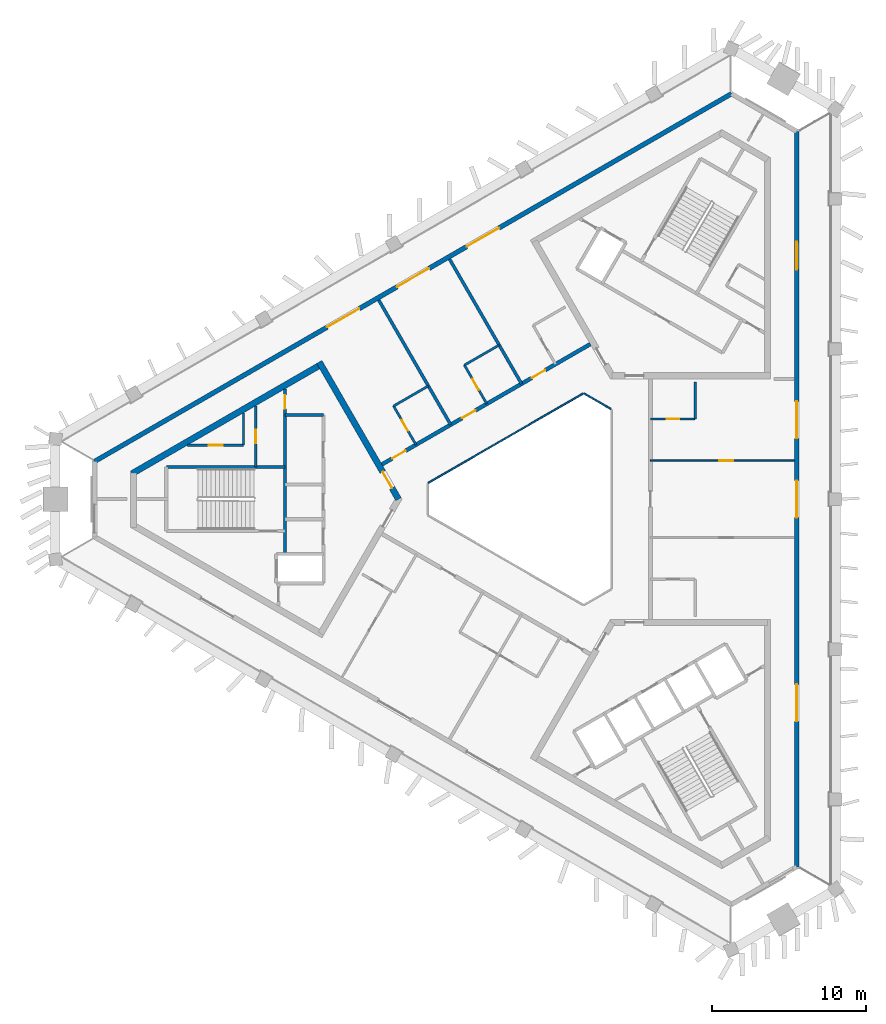
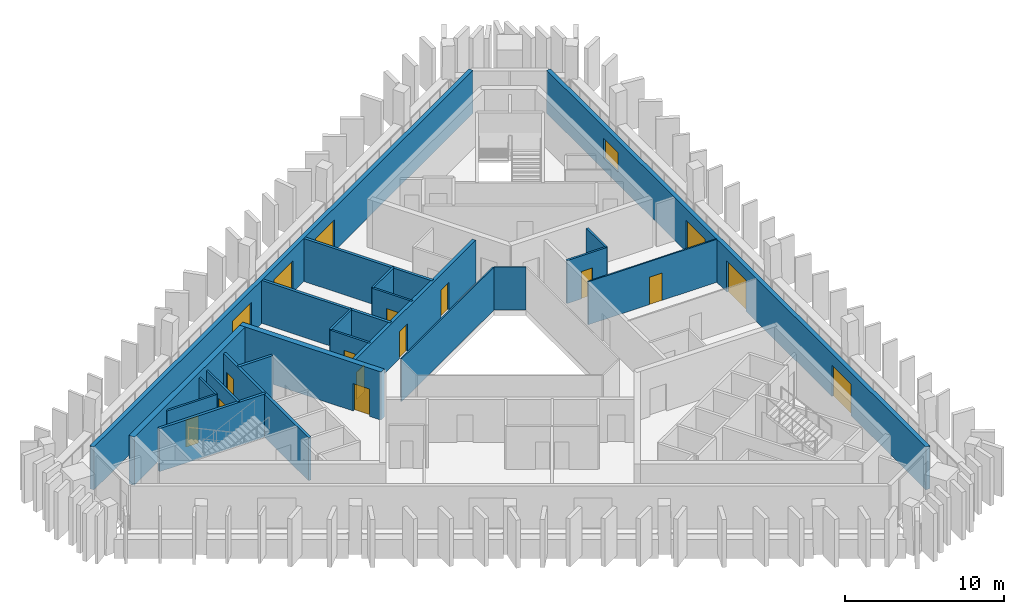
# One storey, part 4 of 9: 22 walls, 17 doors, 1 window, 18 openings.
"""IFC4 building model written with IfcOpenShell, lengths in metres."""

from ifc_helpers import new_model, si_unit, direction, frame, frame_2d, origin, place, context, subcontext, project, spatial, rectangle, extrude, material, layer, layer_set, type_object, element, fill, save


model = new_model("IFC4")

# Units and contexts
model_context = context("Model", 3, precision=1e-05, world=origin(), true_north=direction((0.0, 1.0)))
body_context = subcontext(model_context, "Body", "Model", "MODEL_VIEW")
ifc_project = project(units=[si_unit("LENGTHUNIT", "METRE"), si_unit("AREAUNIT", "SQUARE_METRE"), si_unit("VOLUMEUNIT", "CUBIC_METRE"), si_unit("PLANEANGLEUNIT", "RADIAN"), si_unit("MASSUNIT", "GRAM", prefix="KILO")], contexts=[model_context])

# Site, building, storey
site_placement = place(None, origin())
site = spatial("IfcSite", under=ifc_project, at=site_placement, CompositionType="ELEMENT")
building_placement = place(site_placement, origin())
building = spatial("IfcBuilding", under=site, at=building_placement, Name="Jabali Bay Hotel Tower and Convention Centre", CompositionType="ELEMENT")
storey_placement = place(building_placement, frame((0.0, 0.0, 273.800048828125)))
storey = spatial("IfcBuildingStorey", under=building, at=storey_placement, Name="L67", CompositionType="ELEMENT", Elevation=273.800048828125)

# Walls
ifc_material_1 = material(Name="Fire-resistant glazing", Category="glass")
ifc_layer_1 = layer(ifc_material_1, 0.10009765625)
ifc_layer_set_1 = layer_set([ifc_layer_1], Name="Fire-resistant glazing")
wall_type_1 = type_object("IfcWallType", Name="Atrium glazed screen 100", PredefinedType="PARTITIONING", material=ifc_layer_set_1)
wall_1_placement = place(storey_placement, frame((79.530029296875, 85.84619140625, 0.0), z_axis=(0.0, 0.0, 1.0), x_axis=(-0.866041268327, 0.499972520799, 0.0)))
element("IfcWall", 1, at=wall_1_placement, inside=storey, type_object=wall_type_1, Name="Atrium screen 2 L67", PredefinedType="PARTITIONING", context=body_context, shape_type="SweptSolid", body=[
    extrude(rectangle(XDim=2.0, YDim=0.10009765625, at=frame_2d((1.0, 0.0))), origin(), (0.0, 0.0, 1.0), 3.300048828125),
])
wall_2_placement = place(storey_placement, frame((77.738037109375, 86.84619140625, 0.0), z_axis=(0.0, 0.0, 1.0), x_axis=(-0.866026658274, -0.499997827154, 0.0)))
element("IfcWall", 2, at=wall_2_placement, inside=storey, type_object=wall_type_1, Name="Atrium screen 3 L67", PredefinedType="PARTITIONING", context=body_context, shape_type="SweptSolid", body=[
    extrude(rectangle(XDim=11.58837890625, YDim=0.10009765625, at=frame_2d((5.794189453125, 0.0))), origin(), (0.0, 0.0, 1.0), 3.300048828125),
])

# Wall, opening, door
ifc_material_2 = material(Name="Fire-rated board partition")
ifc_layer_2 = layer(ifc_material_2, 0.14990234375)
ifc_layer_set_2 = layer_set([ifc_layer_2], Name="Fire-rated board partition")
wall_type_2 = type_object("IfcWallType", Name="Core room partition 150", PredefinedType="PARTITIONING", material=ifc_layer_set_2)
wall_3_placement = place(storey_placement, frame((55.719970703125, 83.5, 0.0), z_axis=(0.0, 0.0, 1.0), x_axis=(-1.0, 0.0, 0.0)))
wall_3 = element("IfcWall", 3, at=wall_3_placement, inside=storey, type_object=wall_type_2, Name="Core wall 0.1 L67", PredefinedType="PARTITIONING", context=body_context, shape_type="SweptSolid", body=[
    extrude(rectangle(XDim=3.61767578125, YDim=0.14990234375, at=frame_2d((1.808837890625, 0.0))), origin(), (0.0, 0.0, 1.0), 3.300048828125),
])
opening_1_placement = place(wall_3_placement, frame((1.33154296875, 0.0, 0.0)))
opening_1 = element("IfcOpeningElement", 4, at=opening_1_placement, cuts=wall_3, Name="Opening D1477", PredefinedType="OPENING", context=body_context, shape_type="SweptSolid", body=[
    extrude(rectangle(XDim=0.89990234375, YDim=2.10009765625, at=frame_2d((0.449951171875, 1.050048828125))), frame((0.0, 0.08544921875, 0.0), z_axis=(0.0, -1.0, 0.0), x_axis=(1.0, 0.0, 0.0)), (0.0, 0.0, 1.0), 0.1708984375),
])
ifc_material_3 = material(Name="Fire-rated steel door", Category="steel")
door_type_1 = type_object("IfcDoorType", Name="Core room door 900 x 2100", OperationType="NOTDEFINED", PredefinedType="NOTDEFINED", material=ifc_material_3)
door_1_placement = place(opening_1_placement, origin())
door_1 = element("IfcDoor", 5, at=door_1_placement, inside=storey, type_object=door_type_1, Name="Core room door D1477", OperationType="SINGLE_SWING_LEFT", OverallHeight=2.10009765625, OverallWidth=0.89990234375, PredefinedType="NOTDEFINED", context=body_context, shape_type="SweptSolid", body=[
    extrude(rectangle(XDim=0.89990234375, YDim=2.10009765625, at=frame_2d((0.449951171875, 1.050048828125))), frame((0.0, 0.02490234375, 0.0), z_axis=(0.0, -1.0, 0.0), x_axis=(1.0, 0.0, 0.0)), (0.0, 0.0, 1.0), 0.050048828125),
])
fill(opening_1, door_1)

wall_4_placement = place(storey_placement, frame((56.52001953125, 86.050537109375, 0.0), z_axis=(0.0, 0.0, 1.0), x_axis=(0.0, -1.0, 0.0)))
wall_4 = element("IfcWall", 6, at=wall_4_placement, inside=storey, type_object=wall_type_2, Name="Core wall 0.13 L67", PredefinedType="PARTITIONING", context=body_context, shape_type="SweptSolid", body=[
    extrude(rectangle(XDim=3.9755859375, YDim=0.14990234375, at=frame_2d((1.98779296875, 0.0))), origin(), (0.0, 0.0, 1.0), 3.300048828125),
])
opening_2_placement = place(wall_4_placement, frame((1.537841796875, 0.0, 0.0)))
opening_2 = element("IfcOpeningElement", 7, at=opening_2_placement, cuts=wall_4, Name="Opening D1473", PredefinedType="OPENING", context=body_context, shape_type="SweptSolid", body=[
    extrude(rectangle(XDim=0.89990234375, YDim=2.10009765625, at=frame_2d((0.449951171875, 1.050048828125))), frame((0.0, 0.08544921875, 0.0), z_axis=(0.0, -1.0, 0.0), x_axis=(1.0, 0.0, 0.0)), (0.0, 0.0, 1.0), 0.1708984375),
])
door_2_placement = place(opening_2_placement, origin())
door_2 = element("IfcDoor", 8, at=door_2_placement, inside=storey, type_object=door_type_1, Name="Core room door D1473", OperationType="SINGLE_SWING_RIGHT", OverallHeight=2.10009765625, OverallWidth=0.89990234375, PredefinedType="NOTDEFINED", context=body_context, shape_type="SweptSolid", body=[
    extrude(rectangle(XDim=0.89990234375, YDim=2.10009765625, at=frame_2d((0.449951171875, 1.050048828125))), frame((0.0, 0.02490234375, 0.0), z_axis=(0.0, -1.0, 0.0), x_axis=(1.0, 0.0, 0.0)), (0.0, 0.0, 1.0), 0.050048828125),
])
fill(opening_2, door_2)

# Walls
wall_5_placement = place(storey_placement, frame((55.719970703125, 85.5888671875, 0.0), z_axis=(0.0, 0.0, 1.0), x_axis=(0.0, -1.0, 0.0)))
element("IfcWall", 9, at=wall_5_placement, inside=storey, type_object=wall_type_2, Name="Core wall 0.14 L67", PredefinedType="PARTITIONING", context=body_context, shape_type="SweptSolid", body=[
    extrude(rectangle(XDim=2.0888671875, YDim=0.14990234375, at=frame_2d((1.04443359375, 0.0))), origin(), (0.0, 0.0, 1.0), 3.300048828125),
])
ifc_material_4 = material(Name="Concrete C40", Category="concrete")
ifc_layer_3 = layer(ifc_material_4, 0.199951171875)
ifc_layer_set_3 = layer_set([ifc_layer_3], Name="Concrete C40")
wall_type_3 = type_object("IfcWallType", Name="Core stair wall 200", PredefinedType="SOLIDWALL", material=ifc_layer_set_3)
wall_6_placement = place(storey_placement, frame((60.89990234375, 85.449951171875, 0.0), z_axis=(0.0, 0.0, 1.0), x_axis=(-1.0, 0.0, 0.0)))
element("IfcWall", 10, at=wall_6_placement, inside=storey, type_object=wall_type_3, Name="Core wall 0.0 L67", PredefinedType="SOLIDWALL", context=body_context, shape_type="SweptSolid", body=[
    extrude(rectangle(XDim=2.47998046875, YDim=0.199951171875, at=frame_2d((1.239990234375, 0.0))), origin(), (0.0, 0.0, 1.0), 3.300048828125),
])
wall_7_placement = place(storey_placement, frame((58.419921875, 82.074951171875, 0.0), z_axis=(0.0, 0.0, 1.0), x_axis=(-1.0, 0.0, 0.0)))
element("IfcWall", 11, at=wall_7_placement, inside=storey, type_object=wall_type_3, Name="Core wall 0.2 L67", PredefinedType="SOLIDWALL", context=body_context, shape_type="SweptSolid", body=[
    extrude(rectangle(XDim=7.699951171875, YDim=0.199951171875, at=frame_2d((3.85009765625, 0.0))), origin(), (0.0, 0.0, 1.0), 3.300048828125),
])

# Wall, opening, door
wall_8_placement = place(storey_placement, frame((58.419921875, 87.147705078125, 0.0), z_axis=(0.0, 0.0, 1.0), x_axis=(0.0, -1.0, 0.0)))
wall_8 = element("IfcWall", 12, at=wall_8_placement, inside=storey, type_object=wall_type_3, Name="Core wall 0.10 L67", PredefinedType="SOLIDWALL", context=body_context, shape_type="SweptSolid", body=[
    extrude(rectangle(XDim=10.69775390625, YDim=0.199951171875, at=frame_2d((5.348876953125, 0.0))), origin(), (0.0, 0.0, 1.0), 3.300048828125),
])
opening_3_placement = place(wall_8_placement, frame((0.398681640625, 0.0, 0.0)))
opening_3 = element("IfcOpeningElement", 13, at=opening_3_placement, cuts=wall_8, Name="Opening D1475", PredefinedType="OPENING", context=body_context, shape_type="SweptSolid", body=[
    extrude(rectangle(XDim=0.89990234375, YDim=2.10009765625, at=frame_2d((0.449951171875, 1.050048828125))), frame((0.0, 0.1103515625, 0.0), z_axis=(0.0, -1.0, 0.0), x_axis=(1.0, 0.0, 0.0)), (0.0, 0.0, 1.0), 0.220947265625),
])
door_type_2 = type_object("IfcDoorType", Name="Vestibule fire door 900 x 2100", OperationType="NOTDEFINED", PredefinedType="NOTDEFINED", material=ifc_material_3)
door_3_placement = place(opening_3_placement, origin())
door_3 = element("IfcDoor", 14, at=door_3_placement, inside=storey, type_object=door_type_2, Name="Vestibule fire door D1475", OperationType="SINGLE_SWING_LEFT", OverallHeight=2.10009765625, OverallWidth=0.89990234375, PredefinedType="NOTDEFINED", context=body_context, shape_type="SweptSolid", body=[
    extrude(rectangle(XDim=0.89990234375, YDim=2.10009765625, at=frame_2d((0.449951171875, 1.050048828125))), frame((0.0, 0.02490234375, 0.0), z_axis=(0.0, -1.0, 0.0), x_axis=(1.0, 0.0, 0.0)), (0.0, 0.0, 1.0), 0.050048828125),
])
fill(opening_3, door_3)

ifc_material_5 = material(Name="Concrete C60", Category="concrete")
ifc_layer_4 = layer(ifc_material_5, 0.39990234375)
ifc_layer_set_4 = layer_set([ifc_layer_4], Name="Concrete C60")
wall_type_4 = type_object("IfcWallType", Name="Core wall 400", PredefinedType="SHEAR", material=ifc_layer_set_4)
wall_9_placement = place(storey_placement, frame((65.76904296875, 80.0, 0.0), z_axis=(0.0, 0.0, 1.0), x_axis=(-0.50000177223, 0.866024380585, 0.0)))
wall_9 = element("IfcWall", 15, at=wall_9_placement, inside=storey, type_object=wall_type_4, Name="Core wall 1.1 L67", PredefinedType="SHEAR", context=body_context, shape_type="SweptSolid", body=[
    extrude(rectangle(XDim=10.2646484375, YDim=0.39990234375, at=frame_2d((5.13232421875, 0.0))), origin(), (0.0, 0.0, 1.0), 3.699951171875),
])
opening_4_placement = place(wall_9_placement, frame((0.83447265625, 0.0, 0.0)))
opening_4 = element("IfcOpeningElement", 16, at=opening_4_placement, cuts=wall_9, Name="Opening D1468", PredefinedType="OPENING", context=body_context, shape_type="SweptSolid", body=[
    extrude(rectangle(XDim=1.199951171875, YDim=2.10009765625, at=frame_2d((0.60009765625, 1.050048828125))), frame((0.0, 0.21044921875, 0.0), z_axis=(0.0, -1.0, 0.0), x_axis=(1.0, 0.0, 0.0)), (0.0, 0.0, 1.0), 0.4208984375),
])
door_type_3 = type_object("IfcDoorType", Name="Corridor end fire door 1200 x 2100", OperationType="NOTDEFINED", PredefinedType="NOTDEFINED", material=ifc_material_3)
door_4_placement = place(opening_4_placement, origin())
door_4 = element("IfcDoor", 17, at=door_4_placement, inside=storey, type_object=door_type_3, Name="Corridor end fire door D1468", OperationType="SINGLE_SWING_RIGHT", OverallHeight=2.10009765625, OverallWidth=1.199951171875, PredefinedType="NOTDEFINED", context=body_context, shape_type="SweptSolid", body=[
    extrude(rectangle(XDim=1.199951171875, YDim=2.10009765625, at=frame_2d((0.60009765625, 1.050048828125))), frame((0.0, 0.02490234375, 0.0), z_axis=(0.0, -1.0, 0.0), x_axis=(1.0, 0.0, 0.0)), (0.0, 0.0, 1.0), 0.050048828125),
])
fill(opening_4, door_4)

# Wall
wall_10_placement = place(storey_placement, frame((60.73681640625, 88.716064453125, 0.0), z_axis=(0.0, 0.0, 1.0), x_axis=(-0.866028812667, -0.499994095595, 0.0)))
element("IfcWall", 18, at=wall_10_placement, inside=storey, type_object=wall_type_4, Name="Core wall 1.2 L67", PredefinedType="SHEAR", context=body_context, shape_type="SweptSolid", body=[
    extrude(rectangle(XDim=14.133544921875, YDim=0.39990234375, at=frame_2d((7.06689453125, 0.0))), origin(), (0.0, 0.0, 1.0), 3.699951171875),
])

# Wall, openings, doors
ifc_layer_5 = layer(ifc_material_5, 0.25)
ifc_layer_set_5 = layer_set([ifc_layer_5], Name="Concrete C60")
wall_type_5 = type_object("IfcWallType", Name="Corridor wall 250", PredefinedType="SHEAR", material=ifc_layer_set_5)
wall_11_placement = place(storey_placement, frame((78.199951171875, 90.0458984375, 0.0), z_axis=(0.0, 0.0, 1.0), x_axis=(-0.866026492143, -0.499998114903, 0.0)))
wall_11 = element("IfcWall", 19, at=wall_11_placement, inside=storey, type_object=wall_type_5, Name="Corridor wall 2 L67", PredefinedType="SHEAR", context=body_context, shape_type="SweptSolid", body=[
    extrude(rectangle(XDim=15.58837890625, YDim=0.25, at=frame_2d((7.794189453125, 0.0))), origin(), (0.0, 0.0, 1.0), 3.300048828125),
])
opening_5_placement = place(wall_11_placement, frame((3.3720703125, 0.0, 0.0)))
opening_5 = element("IfcOpeningElement", 20, at=opening_5_placement, cuts=wall_11, Name="Opening 6707", PredefinedType="OPENING", context=body_context, shape_type="SweptSolid", body=[
    extrude(rectangle(XDim=1.0, YDim=2.10009765625, at=frame_2d((0.5, 1.050048828125))), frame((0.0, 0.135498046875, 0.0), z_axis=(0.0, -1.0, 0.0), x_axis=(1.0, 0.0, 0.0)), (0.0, 0.0, 1.0), 0.27099609375),
])
opening_6_placement = place(wall_11_placement, frame((8.59423828125, 0.0, 0.0)))
opening_6 = element("IfcOpeningElement", 21, at=opening_6_placement, cuts=wall_11, Name="Opening 6709", PredefinedType="OPENING", context=body_context, shape_type="SweptSolid", body=[
    extrude(rectangle(XDim=1.0, YDim=2.10009765625, at=frame_2d((0.5, 1.050048828125))), frame((0.0, 0.135498046875, 0.0), z_axis=(0.0, -1.0, 0.0), x_axis=(1.0, 0.0, 0.0)), (0.0, 0.0, 1.0), 0.27099609375),
])
opening_7_placement = place(wall_11_placement, frame((13.81640625, 0.0, 0.0)))
opening_7 = element("IfcOpeningElement", 22, at=opening_7_placement, cuts=wall_11, Name="Opening 6711", PredefinedType="OPENING", context=body_context, shape_type="SweptSolid", body=[
    extrude(rectangle(XDim=1.0, YDim=2.10009765625, at=frame_2d((0.5, 1.050048828125))), frame((0.0, 0.135498046875, 0.0), z_axis=(0.0, -1.0, 0.0), x_axis=(1.0, 0.0, 0.0)), (0.0, 0.0, 1.0), 0.27099609375),
])
ifc_material_6 = material(Name="Timber", Category="wood")
door_type_4 = type_object("IfcDoorType", Name="Guest room door 1000 x 2100", OperationType="NOTDEFINED", PredefinedType="NOTDEFINED", material=ifc_material_6)
door_5_placement = place(opening_5_placement, origin())
door_5 = element("IfcDoor", 23, at=door_5_placement, inside=storey, type_object=door_type_4, Name="Door 6707", OperationType="SINGLE_SWING_LEFT", OverallHeight=2.10009765625, OverallWidth=1.0, PredefinedType="NOTDEFINED", context=body_context, shape_type="SweptSolid", body=[
    extrude(rectangle(XDim=1.0, YDim=2.10009765625, at=frame_2d((0.5, 1.050048828125))), frame((0.0, 0.02490234375, 0.0), z_axis=(0.0, -1.0, 0.0), x_axis=(1.0, 0.0, 0.0)), (0.0, 0.0, 1.0), 0.050048828125),
])
fill(opening_5, door_5)
door_6_placement = place(opening_6_placement, origin())
door_6 = element("IfcDoor", 24, at=door_6_placement, inside=storey, type_object=door_type_4, Name="Door 6709", OperationType="SINGLE_SWING_RIGHT", OverallHeight=2.10009765625, OverallWidth=1.0, PredefinedType="NOTDEFINED", context=body_context, shape_type="SweptSolid", body=[
    extrude(rectangle(XDim=1.0, YDim=2.10009765625, at=frame_2d((0.5, 1.050048828125))), frame((0.0, 0.02490234375, 0.0), z_axis=(0.0, -1.0, 0.0), x_axis=(1.0, 0.0, 0.0)), (0.0, 0.0, 1.0), 0.050048828125),
])
fill(opening_6, door_6)
door_7_placement = place(opening_7_placement, origin())
door_7 = element("IfcDoor", 25, at=door_7_placement, inside=storey, type_object=door_type_4, Name="Door 6711", OperationType="SINGLE_SWING_RIGHT", OverallHeight=2.10009765625, OverallWidth=1.0, PredefinedType="NOTDEFINED", context=body_context, shape_type="SweptSolid", body=[
    extrude(rectangle(XDim=1.0, YDim=2.10009765625, at=frame_2d((0.5, 1.050048828125))), frame((0.0, 0.02490234375, 0.0), z_axis=(0.0, -1.0, 0.0), x_axis=(1.0, 0.0, 0.0)), (0.0, 0.0, 1.0), 0.050048828125),
])
fill(opening_7, door_7)

# Wall, openings, doors, window
ifc_layer_6 = layer(ifc_material_4, 0.300048828125)
ifc_layer_set_6 = layer_set([ifc_layer_6], Name="Concrete C40")
wall_type_6 = type_object("IfcWallType", Name="External wall 300", PredefinedType="SOLIDWALL", material=ifc_layer_set_6)
wall_12_placement = place(storey_placement, frame((91.577880859375, 103.837158203125, 0.0), z_axis=(0.0, 0.0, 1.0), x_axis=(0.0, -1.0, 0.0)))
wall_12 = element("IfcWall", 26, at=wall_12_placement, inside=storey, type_object=wall_type_6, Name="External wall east face L67", PredefinedType="SOLIDWALL", context=body_context, shape_type="SweptSolid", body=[
    extrude(rectangle(XDim=47.67431640625, YDim=0.300048828125, at=frame_2d((23.837158203125, 0.0))), origin(), (0.0, 0.0, 1.0), 3.300048828125),
])
opening_8_placement = place(wall_12_placement, frame((7.170654296875, 0.0, 0.89990234375)))
opening_8 = element("IfcOpeningElement", 27, at=opening_8_placement, cuts=wall_12, Name="Opening W1", PredefinedType="OPENING", context=body_context, shape_type="SweptSolid", body=[
    extrude(rectangle(XDim=1.800048828125, YDim=1.5, at=frame_2d((0.89990234375, 0.75))), frame((0.0, 0.16064453125, 0.0), z_axis=(0.0, -1.0, 0.0), x_axis=(1.0, 0.0, 0.0)), (0.0, 0.0, 1.0), 0.321044921875),
])
opening_9_placement = place(wall_12_placement, frame((35.8466796875, 0.0, 0.0)))
opening_9 = element("IfcOpeningElement", 28, at=opening_9_placement, cuts=wall_12, Name="Opening SD1", PredefinedType="OPENING", context=body_context, shape_type="SweptSolid", body=[
    extrude(rectangle(XDim=2.39990234375, YDim=2.39990234375, at=frame_2d((1.199951171875, 1.199951171875))), frame((0.0, 0.16064453125, 0.0), z_axis=(0.0, -1.0, 0.0), x_axis=(1.0, 0.0, 0.0)), (0.0, 0.0, 1.0), 0.321044921875),
])
opening_10_placement = place(wall_12_placement, frame((17.492919921875, 0.0, 0.0)))
opening_10 = element("IfcOpeningElement", 29, at=opening_10_placement, cuts=wall_12, Name="Opening SD1", PredefinedType="OPENING", context=body_context, shape_type="SweptSolid", body=[
    extrude(rectangle(XDim=2.39990234375, YDim=2.39990234375, at=frame_2d((1.199951171875, 1.199951171875))), frame((0.0, 0.16064453125, 0.0), z_axis=(0.0, -1.0, 0.0), x_axis=(1.0, 0.0, 0.0)), (0.0, 0.0, 1.0), 0.321044921875),
])
opening_11_placement = place(wall_12_placement, frame((22.63720703125, 0.0, 0.0)))
opening_11 = element("IfcOpeningElement", 30, at=opening_11_placement, cuts=wall_12, Name="Opening SD1", PredefinedType="OPENING", context=body_context, shape_type="SweptSolid", body=[
    extrude(rectangle(XDim=2.39990234375, YDim=2.39990234375, at=frame_2d((1.199951171875, 1.199951171875))), frame((0.0, 0.16064453125, 0.0), z_axis=(0.0, -1.0, 0.0), x_axis=(1.0, 0.0, 0.0)), (0.0, 0.0, 1.0), 0.321044921875),
])
ifc_material_7 = material(Name="Glass", Category="glass")
door_type_5 = type_object("IfcDoorType", Name="Loggia sliding door 2400 x 2400", OperationType="NOTDEFINED", PredefinedType="NOTDEFINED", material=ifc_material_7)
door_8_placement = place(opening_9_placement, origin())
door_8 = element("IfcDoor", 31, at=door_8_placement, inside=storey, type_object=door_type_5, Name="Loggia sliding door", OperationType="SLIDING_TO_LEFT", OverallHeight=2.39990234375, OverallWidth=2.39990234375, PredefinedType="NOTDEFINED", context=body_context, shape_type="SweptSolid", body=[
    extrude(rectangle(XDim=2.39990234375, YDim=2.39990234375, at=frame_2d((1.199951171875, 1.199951171875))), frame((0.0, 0.02490234375, 0.0), z_axis=(0.0, -1.0, 0.0), x_axis=(1.0, 0.0, 0.0)), (0.0, 0.0, 1.0), 0.050048828125),
])
fill(opening_9, door_8)
door_9_placement = place(opening_10_placement, origin())
door_9 = element("IfcDoor", 32, at=door_9_placement, inside=storey, type_object=door_type_5, Name="Loggia sliding door", OperationType="SLIDING_TO_RIGHT", OverallHeight=2.39990234375, OverallWidth=2.39990234375, PredefinedType="NOTDEFINED", context=body_context, shape_type="SweptSolid", body=[
    extrude(rectangle(XDim=2.39990234375, YDim=2.39990234375, at=frame_2d((1.199951171875, 1.199951171875))), frame((0.0, 0.02490234375, 0.0), z_axis=(0.0, -1.0, 0.0), x_axis=(1.0, 0.0, 0.0)), (0.0, 0.0, 1.0), 0.050048828125),
])
fill(opening_10, door_9)
door_10_placement = place(opening_11_placement, origin())
door_10 = element("IfcDoor", 33, at=door_10_placement, inside=storey, type_object=door_type_5, Name="Loggia sliding door 6701", OperationType="SLIDING_TO_LEFT", OverallHeight=2.39990234375, OverallWidth=2.39990234375, PredefinedType="NOTDEFINED", context=body_context, shape_type="SweptSolid", body=[
    extrude(rectangle(XDim=2.39990234375, YDim=2.39990234375, at=frame_2d((1.199951171875, 1.199951171875))), frame((0.0, 0.02490234375, 0.0), z_axis=(0.0, -1.0, 0.0), x_axis=(1.0, 0.0, 0.0)), (0.0, 0.0, 1.0), 0.050048828125),
])
fill(opening_11, door_10)
window_type = type_object("IfcWindowType", Name="Window 1800 x 1500", PartitioningType="SINGLE_PANEL", PredefinedType="WINDOW", material=ifc_material_7)
window_placement = place(opening_8_placement, origin())
window = element("IfcWindow", 34, at=window_placement, inside=storey, type_object=window_type, Name="Window", OverallHeight=1.5, OverallWidth=1.800048828125, PartitioningType="SINGLE_PANEL", PredefinedType="WINDOW", context=body_context, shape_type="SweptSolid", body=[
    extrude(rectangle(XDim=1.800048828125, YDim=1.5, at=frame_2d((0.89990234375, 0.75))), frame((0.0, 0.030029296875, 0.0), z_axis=(0.0, -1.0, 0.0), x_axis=(1.0, 0.0, 0.0)), (0.0, 0.0, 1.0), 0.06005859375),
])
fill(opening_8, window)

# Wall, openings, doors
wall_13_placement = place(storey_placement, frame((46.0673828125, 82.438232421875, 0.0), z_axis=(0.0, 0.0, 1.0), x_axis=(0.866024153303, 0.50000216589, 0.0)))
wall_13 = element("IfcWall", 35, at=wall_13_placement, inside=storey, type_object=wall_type_6, Name="External wall north-west face L67", PredefinedType="SOLIDWALL", context=body_context, shape_type="SweptSolid", body=[
    extrude(rectangle(XDim=47.674560546875, YDim=0.300048828125, at=frame_2d((23.83740234375, 0.0))), origin(), (0.0, 0.0, 1.0), 3.300048828125),
])
opening_12_placement = place(wall_13_placement, frame((17.4150390625, 0.0, 0.0)))
opening_12 = element("IfcOpeningElement", 36, at=opening_12_placement, cuts=wall_13, Name="Opening SD1", PredefinedType="OPENING", context=body_context, shape_type="SweptSolid", body=[
    extrude(rectangle(XDim=2.39990234375, YDim=2.39990234375, at=frame_2d((1.199951171875, 1.199951171875))), frame((0.0, 0.16064453125, 0.0), z_axis=(0.0, -1.0, 0.0), x_axis=(1.0, 0.0, 0.0)), (0.0, 0.0, 1.0), 0.321044921875),
])
opening_13_placement = place(wall_13_placement, frame((22.63720703125, 0.0, 0.0)))
opening_13 = element("IfcOpeningElement", 37, at=opening_13_placement, cuts=wall_13, Name="Opening SD1", PredefinedType="OPENING", context=body_context, shape_type="SweptSolid", body=[
    extrude(rectangle(XDim=2.39990234375, YDim=2.39990234375, at=frame_2d((1.199951171875, 1.199951171875))), frame((0.0, 0.16064453125, 0.0), z_axis=(0.0, -1.0, 0.0), x_axis=(1.0, 0.0, 0.0)), (0.0, 0.0, 1.0), 0.321044921875),
])
opening_14_placement = place(wall_13_placement, frame((27.859375, 0.0, 0.0)))
opening_14 = element("IfcOpeningElement", 38, at=opening_14_placement, cuts=wall_13, Name="Opening SD1", PredefinedType="OPENING", context=body_context, shape_type="SweptSolid", body=[
    extrude(rectangle(XDim=2.39990234375, YDim=2.39990234375, at=frame_2d((1.199951171875, 1.199951171875))), frame((0.0, 0.16064453125, 0.0), z_axis=(0.0, -1.0, 0.0), x_axis=(1.0, 0.0, 0.0)), (0.0, 0.0, 1.0), 0.321044921875),
])
door_11_placement = place(opening_12_placement, origin())
door_11 = element("IfcDoor", 39, at=door_11_placement, inside=storey, type_object=door_type_5, Name="Loggia sliding door 6704", OperationType="SLIDING_TO_LEFT", OverallHeight=2.39990234375, OverallWidth=2.39990234375, PredefinedType="NOTDEFINED", context=body_context, shape_type="SweptSolid", body=[
    extrude(rectangle(XDim=2.39990234375, YDim=2.39990234375, at=frame_2d((1.199951171875, 1.199951171875))), frame((0.0, 0.02490234375, 0.0), z_axis=(0.0, -1.0, 0.0), x_axis=(1.0, 0.0, 0.0)), (0.0, 0.0, 1.0), 0.050048828125),
])
fill(opening_12, door_11)
door_12_placement = place(opening_13_placement, origin())
door_12 = element("IfcDoor", 40, at=door_12_placement, inside=storey, type_object=door_type_5, Name="Loggia sliding door 6703", OperationType="SLIDING_TO_RIGHT", OverallHeight=2.39990234375, OverallWidth=2.39990234375, PredefinedType="NOTDEFINED", context=body_context, shape_type="SweptSolid", body=[
    extrude(rectangle(XDim=2.39990234375, YDim=2.39990234375, at=frame_2d((1.199951171875, 1.199951171875))), frame((0.0, 0.02490234375, 0.0), z_axis=(0.0, -1.0, 0.0), x_axis=(1.0, 0.0, 0.0)), (0.0, 0.0, 1.0), 0.050048828125),
])
fill(opening_13, door_12)
door_13_placement = place(opening_14_placement, origin())
door_13 = element("IfcDoor", 41, at=door_13_placement, inside=storey, type_object=door_type_5, Name="Loggia sliding door 6702", OperationType="SLIDING_TO_LEFT", OverallHeight=2.39990234375, OverallWidth=2.39990234375, PredefinedType="NOTDEFINED", context=body_context, shape_type="SweptSolid", body=[
    extrude(rectangle(XDim=2.39990234375, YDim=2.39990234375, at=frame_2d((1.199951171875, 1.199951171875))), frame((0.0, 0.02490234375, 0.0), z_axis=(0.0, -1.0, 0.0), x_axis=(1.0, 0.0, 0.0)), (0.0, 0.0, 1.0), 0.050048828125),
])
fill(opening_14, door_13)

# Wall, opening, door
ifc_material_8 = material(Name="Plasterboard on steel stud", Category="steel")
ifc_layer_7 = layer(ifc_material_8, 0.10009765625)
ifc_layer_set_7 = layer_set([ifc_layer_7], Name="Plasterboard on steel stud")
wall_type_7 = type_object("IfcWallType", Name="Partition 100 unit", PredefinedType="PARTITIONING", material=ifc_layer_set_7)
wall_14_placement = place(storey_placement, frame((82.10009765625, 82.494140625, 0.0), z_axis=(0.0, 0.0, 1.0), x_axis=(1.0, 0.0, 0.0)))
wall_14 = element("IfcWall", 42, at=wall_14_placement, inside=storey, type_object=wall_type_7, Name="Partition P02 L67 005", PredefinedType="PARTITIONING", context=body_context, shape_type="SweptSolid", body=[
    extrude(rectangle(XDim=9.328857421875, YDim=0.10009765625, at=frame_2d((4.66455078125, 0.0))), origin(), (0.0, 0.0, 1.0), 3.300048828125),
])
opening_15_placement = place(wall_14_placement, frame((4.449951171875, 0.0, 0.0)))
opening_15 = element("IfcOpeningElement", 43, at=opening_15_placement, cuts=wall_14, Name="Opening 6704", PredefinedType="OPENING", context=body_context, shape_type="SweptSolid", body=[
    extrude(rectangle(XDim=0.89990234375, YDim=2.10009765625, at=frame_2d((0.449951171875, 1.050048828125))), frame((0.0, 0.060546875, 0.0), z_axis=(0.0, -1.0, 0.0), x_axis=(1.0, 0.0, 0.0)), (0.0, 0.0, 1.0), 0.12109375),
])
door_type_6 = type_object("IfcDoorType", Name="Internal door 900 x 2100", OperationType="NOTDEFINED", PredefinedType="NOTDEFINED", material=ifc_material_6)
door_14_placement = place(opening_15_placement, origin())
door_14 = element("IfcDoor", 44, at=door_14_placement, inside=storey, type_object=door_type_6, Name="Door 6704", OperationType="SINGLE_SWING_LEFT", OverallHeight=2.10009765625, OverallWidth=0.89990234375, PredefinedType="NOTDEFINED", context=body_context, shape_type="SweptSolid", body=[
    extrude(rectangle(XDim=0.89990234375, YDim=2.10009765625, at=frame_2d((0.449951171875, 1.050048828125))), frame((0.0, 0.02490234375, 0.0), z_axis=(0.0, -1.0, 0.0), x_axis=(1.0, 0.0, 0.0)), (0.0, 0.0, 1.0), 0.050048828125),
])
fill(opening_15, door_14)

# Wall
ifc_layer_8 = layer(ifc_material_8, 0.14990234375)
ifc_layer_set_8 = layer_set([ifc_layer_8], Name="Plasterboard on steel stud")
wall_type_8 = type_object("IfcWallType", Name="Partition 150 wet", PredefinedType="PARTITIONING", material=ifc_layer_set_8)
wall_15_placement = place(storey_placement, frame((85.0, 87.59521484375, 0.0), z_axis=(0.0, 0.0, 1.0), x_axis=(0.0, -1.0, 0.0)))
element("IfcWall", 45, at=wall_15_placement, inside=storey, type_object=wall_type_8, Name="Partition P03 L67 006", PredefinedType="PARTITIONING", context=body_context, shape_type="SweptSolid", body=[
    extrude(rectangle(XDim=2.40087890625, YDim=0.14990234375, at=frame_2d((1.200439453125, 0.0))), origin(), (0.0, 0.0, 1.0), 3.300048828125),
])

# Wall, opening, door
wall_16_placement = place(storey_placement, frame((85.0, 85.1943359375, 0.0), z_axis=(0.0, 0.0, 1.0), x_axis=(-1.0, 0.0, 0.0)))
wall_16 = element("IfcWall", 46, at=wall_16_placement, inside=storey, type_object=wall_type_8, Name="Partition P03 L67 007", PredefinedType="PARTITIONING", context=body_context, shape_type="SweptSolid", body=[
    extrude(rectangle(XDim=2.89990234375, YDim=0.14990234375, at=frame_2d((1.449951171875, 0.0))), origin(), (0.0, 0.0, 1.0), 3.300048828125),
])
opening_16_placement = place(wall_16_placement, frame((1.050048828125, 0.0, 0.0)))
opening_16 = element("IfcOpeningElement", 47, at=opening_16_placement, cuts=wall_16, Name="Opening 6702", PredefinedType="OPENING", context=body_context, shape_type="SweptSolid", body=[
    extrude(rectangle(XDim=0.800048828125, YDim=2.10009765625, at=frame_2d((0.39990234375, 1.050048828125))), frame((0.0, 0.08544921875, 0.0), z_axis=(0.0, -1.0, 0.0), x_axis=(1.0, 0.0, 0.0)), (0.0, 0.0, 1.0), 0.1708984375),
])
door_type_7 = type_object("IfcDoorType", Name="En-suite door 800 x 2100", OperationType="NOTDEFINED", PredefinedType="NOTDEFINED", material=ifc_material_6)
door_15_placement = place(opening_16_placement, origin())
door_15 = element("IfcDoor", 48, at=door_15_placement, inside=storey, type_object=door_type_7, Name="Door 6702", OperationType="SINGLE_SWING_RIGHT", OverallHeight=2.10009765625, OverallWidth=0.800048828125, PredefinedType="NOTDEFINED", context=body_context, shape_type="SweptSolid", body=[
    extrude(rectangle(XDim=0.800048828125, YDim=2.10009765625, at=frame_2d((0.39990234375, 1.050048828125))), frame((0.0, 0.02490234375, 0.0), z_axis=(0.0, -1.0, 0.0), x_axis=(1.0, 0.0, 0.0)), (0.0, 0.0, 1.0), 0.050048828125),
])
fill(opening_16, door_15)

wall_17_placement = place(storey_placement, frame((71.493408203125, 86.173828125, 0.0), z_axis=(0.0, 0.0, 1.0), x_axis=(-0.50005036918, 0.865996321171, 0.0)))
wall_17 = element("IfcWall", 49, at=wall_17_placement, inside=storey, type_object=wall_type_8, Name="Partition P03 L67 013", PredefinedType="PARTITIONING", context=body_context, shape_type="SweptSolid", body=[
    extrude(rectangle(XDim=2.900146484375, YDim=0.14990234375, at=frame_2d((1.4501953125, 0.0))), origin(), (0.0, 0.0, 1.0), 3.300048828125),
])
opening_17_placement = place(wall_17_placement, frame((1.050048828125, 0.0, 0.0)))
opening_17 = element("IfcOpeningElement", 50, at=opening_17_placement, cuts=wall_17, Name="Opening 6708", PredefinedType="OPENING", context=body_context, shape_type="SweptSolid", body=[
    extrude(rectangle(XDim=0.800048828125, YDim=2.10009765625, at=frame_2d((0.39990234375, 1.050048828125))), frame((0.0, 0.08544921875, 0.0), z_axis=(0.0, -1.0, 0.0), x_axis=(1.0, 0.0, 0.0)), (0.0, 0.0, 1.0), 0.1708984375),
])
door_16_placement = place(opening_17_placement, origin())
door_16 = element("IfcDoor", 51, at=door_16_placement, inside=storey, type_object=door_type_7, Name="Door 6708", OperationType="SINGLE_SWING_LEFT", OverallHeight=2.10009765625, OverallWidth=0.800048828125, PredefinedType="NOTDEFINED", context=body_context, shape_type="SweptSolid", body=[
    extrude(rectangle(XDim=0.800048828125, YDim=2.10009765625, at=frame_2d((0.39990234375, 1.050048828125))), frame((0.0, 0.02490234375, 0.0), z_axis=(0.0, -1.0, 0.0), x_axis=(1.0, 0.0, 0.0)), (0.0, 0.0, 1.0), 0.050048828125),
])
fill(opening_17, door_16)

# Wall
wall_18_placement = place(storey_placement, frame((70.043212890625, 88.685302734375, 0.0), z_axis=(0.0, 0.0, 1.0), x_axis=(0.866021400173, 0.500006934395, 0.0)))
element("IfcWall", 52, at=wall_18_placement, inside=storey, type_object=wall_type_8, Name="Partition P03 L67 014", PredefinedType="PARTITIONING", context=body_context, shape_type="SweptSolid", body=[
    extrude(rectangle(XDim=2.60009765625, YDim=0.14990234375, at=frame_2d((1.300048828125, 0.0))), origin(), (0.0, 0.0, 1.0), 3.300048828125),
])

# Wall, opening, door
wall_19_placement = place(storey_placement, frame((66.9033203125, 83.523681640625, 0.0), z_axis=(0.0, 0.0, 1.0), x_axis=(-0.499987231761, 0.866032775405, 0.0)))
wall_19 = element("IfcWall", 53, at=wall_19_placement, inside=storey, type_object=wall_type_8, Name="Partition P03 L67 016", PredefinedType="PARTITIONING", context=body_context, shape_type="SweptSolid", body=[
    extrude(rectangle(XDim=2.89990234375, YDim=0.14990234375, at=frame_2d((1.449951171875, 0.0))), origin(), (0.0, 0.0, 1.0), 3.300048828125),
])
opening_18_placement = place(wall_19_placement, frame((1.050048828125, 0.0, 0.0)))
opening_18 = element("IfcOpeningElement", 54, at=opening_18_placement, cuts=wall_19, Name="Opening 6710", PredefinedType="OPENING", context=body_context, shape_type="SweptSolid", body=[
    extrude(rectangle(XDim=0.800048828125, YDim=2.10009765625, at=frame_2d((0.39990234375, 1.050048828125))), frame((0.0, 0.08544921875, 0.0), z_axis=(0.0, -1.0, 0.0), x_axis=(1.0, 0.0, 0.0)), (0.0, 0.0, 1.0), 0.1708984375),
])
door_17_placement = place(opening_18_placement, origin())
door_17 = element("IfcDoor", 55, at=door_17_placement, inside=storey, type_object=door_type_7, Name="Door 6710", OperationType="SINGLE_SWING_LEFT", OverallHeight=2.10009765625, OverallWidth=0.800048828125, PredefinedType="NOTDEFINED", context=body_context, shape_type="SweptSolid", body=[
    extrude(rectangle(XDim=0.800048828125, YDim=2.10009765625, at=frame_2d((0.39990234375, 1.050048828125))), frame((0.0, 0.02490234375, 0.0), z_axis=(0.0, -1.0, 0.0), x_axis=(1.0, 0.0, 0.0)), (0.0, 0.0, 1.0), 0.050048828125),
])
fill(opening_18, door_17)

# Walls
wall_20_placement = place(storey_placement, frame((65.453369140625, 86.03515625, 0.0), z_axis=(0.0, 0.0, 1.0), x_axis=(0.866021400173, 0.500006934395, 0.0)))
element("IfcWall", 56, at=wall_20_placement, inside=storey, type_object=wall_type_8, Name="Partition P03 L67 017", PredefinedType="PARTITIONING", context=body_context, shape_type="SweptSolid", body=[
    extrude(rectangle(XDim=2.60009765625, YDim=0.14990234375, at=frame_2d((1.300048828125, 0.0))), origin(), (0.0, 0.0, 1.0), 3.300048828125),
])
ifc_layer_9 = layer(ifc_material_8, 0.199951171875)
ifc_layer_set_9 = layer_set([ifc_layer_9], Name="Plasterboard on steel stud")
wall_type_9 = type_object("IfcWallType", Name="Partition 200 party", PredefinedType="PARTITIONING", material=ifc_layer_set_9)
for number, where, z_axis, x_axis, name in (
    (57, (69.08056640625, 95.552978515625, 0.0), (0.0, 0.0, 1.0), (0.500006376834, -0.866021722086, 0.0), "Partition P01 L67 011"),
    (58, (64.490478515625, 92.90283203125, 0.0), (0.0, 0.0, 1.0), (0.500006376834, -0.866021722086, 0.0), "Partition P01 L67 015"),
):
    element("IfcWall", number, at=place(storey_placement, frame(where, z_axis=z_axis, x_axis=x_axis)), inside=storey, type_object=wall_type_9, Name=name, PredefinedType="PARTITIONING", context=body_context, shape_type="SweptSolid", body=[
        extrude(rectangle(XDim=9.3291015625, YDim=0.199951171875, at=frame_2d((4.66455078125, 0.0))), origin(), (0.0, 0.0, 1.0), 3.300048828125),
    ])

save(model, "model.ifc")
